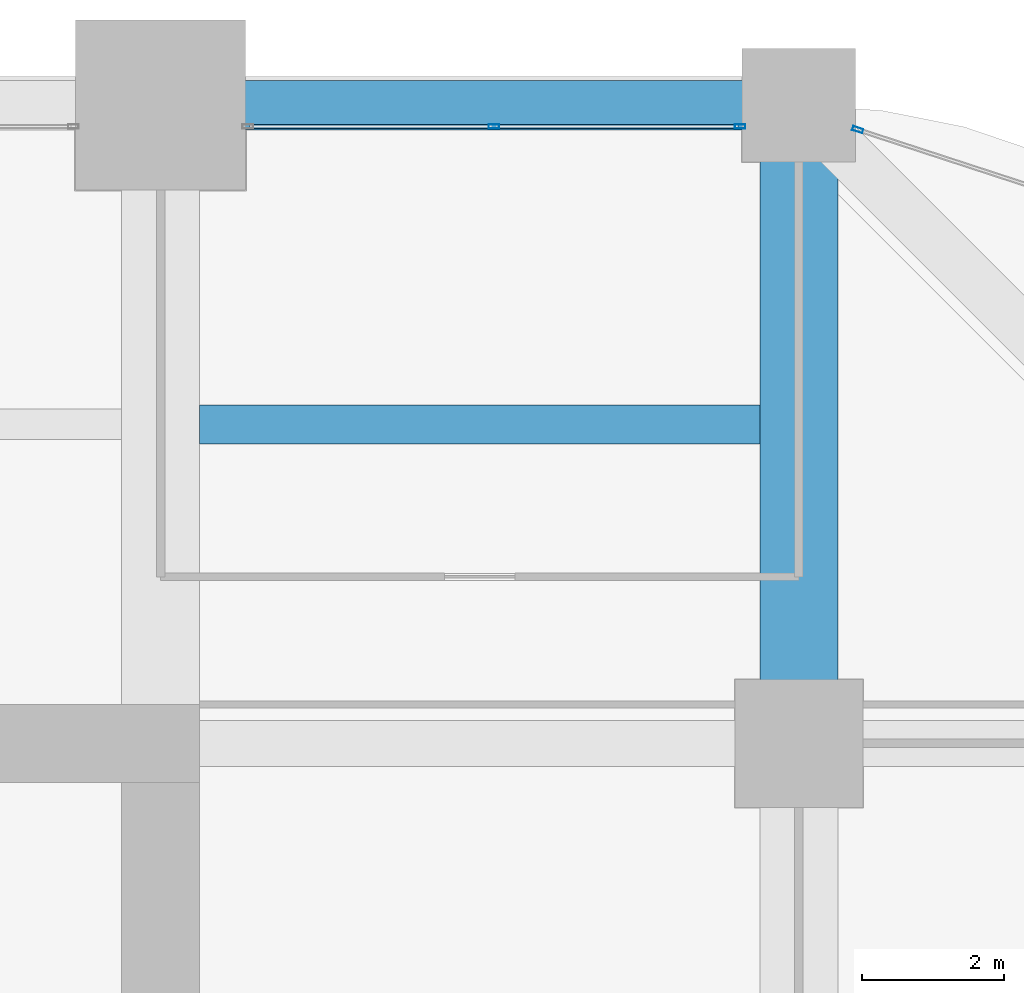
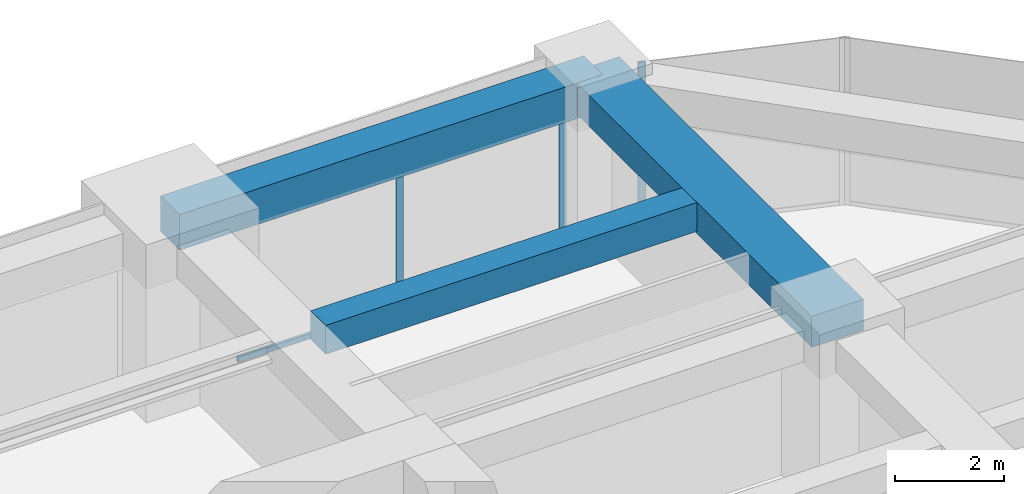
# One storey, part 33 of 40: 4 members, 3 beams, 2 elements without a shape of their own.
"""IFC4 building model written with IfcOpenShell, lengths in metres."""

from ifc_helpers import new_model, si_unit, direction, frame, origin, origin_2d, place, context, subcontext, project, spatial, rectangle, hollow_rectangle, extrude, material, material_profile, profile_set, type_object, element, aggregate, save


model = new_model("IFC4")

# Units and contexts
model_context = context("Model", 3, precision=1e-05, world=origin(), true_north=direction((0.0, 1.0)))
body_context = subcontext(model_context, "Body", "Model", "MODEL_VIEW")
ifc_project = project(units=[si_unit("LENGTHUNIT", "METRE"), si_unit("AREAUNIT", "SQUARE_METRE"), si_unit("VOLUMEUNIT", "CUBIC_METRE"), si_unit("PLANEANGLEUNIT", "RADIAN"), si_unit("MASSUNIT", "GRAM", prefix="KILO")], contexts=[model_context])

# Site, building, storey
site_placement = place(None, origin())
site = spatial("IfcSite", under=ifc_project, at=site_placement, CompositionType="ELEMENT")
building_placement = place(site_placement, origin())
building = spatial("IfcBuilding", under=site, at=building_placement, Name="Zorevar Civic Tower", CompositionType="ELEMENT")
storey_placement = place(building_placement, frame((0.0, 0.0, 133.0)))
storey = spatial("IfcBuildingStorey", under=building, at=storey_placement, Name="L32", CompositionType="ELEMENT", Elevation=133.0)

# Beams
ifc_material_1 = material(Name="Concrete C50/60", Category="concrete")
ifc_material_profile_1 = material_profile(ifc_material_1, rectangle(XDim=1.10009765625, YDim=0.699951171875, at=origin_2d()), Name="RC 1100x700")
ifc_profile_set_1 = profile_set([ifc_material_profile_1], Name="Concrete C50/60")
beam_type_1 = type_object("IfcBeamType", Name="Beam RC 1100x700", PredefinedType="BEAM", material=ifc_profile_set_1)
beam_1_placement = place(storey_placement, frame((54.0, 36.0, 3.39990234375), z_axis=(0.0, 1.0, 0.0), x_axis=(-1.0, 0.0, 0.0)))
element("IfcBeam", 1, at=beam_1_placement, inside=storey, type_object=beam_type_1, Name="Girder L33", PredefinedType="BEAM", context=body_context, shape_type="SweptSolid", body=[
    extrude(rectangle(XDim=1.10009765625, YDim=0.699951171875, at=origin_2d()), origin(), (0.0, 0.0, 1.0), 9.0),
])
ifc_material_2 = material(Name="Concrete C50/60", Category="concrete")
ifc_material_profile_2 = material_profile(ifc_material_2, rectangle(XDim=0.550048828125, YDim=0.64990234375, at=origin_2d()), Name="RC 550x650")
ifc_profile_set_2 = profile_set([ifc_material_profile_2], Name="Concrete C50/60")
beam_type_2 = type_object("IfcBeamType", Name="Beam RC 550x650", PredefinedType="BEAM", material=ifc_profile_set_2)
beam_2_placement = place(storey_placement, frame((45.550048828125, 40.5, 3.425048828125), z_axis=(1.0, 0.0, 0.0), x_axis=(0.0, 1.0, 0.0)))
element("IfcBeam", 2, at=beam_2_placement, inside=storey, type_object=beam_type_2, Name="Secondary beam L33", PredefinedType="BEAM", context=body_context, shape_type="SweptSolid", body=[
    extrude(rectangle(XDim=0.550048828125, YDim=0.64990234375, at=origin_2d()), origin(), (0.0, 0.0, 1.0), 7.89990234375),
])

# Curtain wall, members
ifc_material_3 = material(Name="Dark grey solar-control glass in black aluminium frame", Category="aluminium")
curtain_wall_type = type_object("IfcCurtainWallType", Name="Curtain wall CW3 mid zone", PredefinedType="NOTDEFINED", material=ifc_material_3)
curtain_wall_1_placement = place(storey_placement, origin())
curtain_wall_1 = element("IfcCurtainWall", 3, at=curtain_wall_1_placement, inside=storey, type_object=curtain_wall_type, Name="CW3 L32", PredefinedType="NOTDEFINED")
ifc_material_4 = material(Name="Aluminium, black anodised", Category="aluminium")
ifc_material_profile_3 = material_profile(ifc_material_4, hollow_rectangle(XDim=0.06005859375, YDim=0.14990234375, WallThickness=0.00390625, at=origin_2d()), Name="AL 150x60x4")
ifc_profile_set_3 = profile_set([ifc_material_profile_3], Name="Aluminium, black anodised")
member_type_1 = type_object("IfcMemberType", Name="CW3 mullion AL 150x60x4", PredefinedType="MULLION", material=ifc_profile_set_3)
member_1_placement = place(storey_placement, frame((49.699951171875, 44.699951171875, 0.06005859375), z_axis=(0.0, 0.0, 1.0), x_axis=(0.0, 1.0, 0.0)))
member_1 = element("IfcMember", 4, at=member_1_placement, type_object=member_type_1, Name="CW3 mullion 2", PredefinedType="MULLION", context=body_context, shape_type="SweptSolid", body=[
    extrude(hollow_rectangle(XDim=0.06005859375, YDim=0.14990234375, WallThickness=0.00390625, at=origin_2d()), origin(), (0.0, 0.0, 1.0), 2.889892578125),
])
member_2_placement = place(storey_placement, frame((53.169921875, 44.699951171875, 0.0), z_axis=(0.0, 0.0, 1.0), x_axis=(0.0, 1.0, 0.0)))
member_2 = element("IfcMember", 5, at=member_2_placement, type_object=member_type_1, Name="CW3 mullion 3", PredefinedType="MULLION", context=body_context, shape_type="SweptSolid", body=[
    extrude(hollow_rectangle(XDim=0.06005859375, YDim=0.14990234375, WallThickness=0.00390625, at=origin_2d()), origin(), (0.0, 0.0, 1.0), 2.949951171875),
])

# Curtain wall, member
curtain_wall_2_placement = place(storey_placement, origin())
curtain_wall_2 = element("IfcCurtainWall", 6, at=curtain_wall_2_placement, inside=storey, type_object=curtain_wall_type, Name="CW3 L32", PredefinedType="NOTDEFINED")
member_3_placement = place(storey_placement, frame((54.82861328125, 44.65380859375, 0.0), z_axis=(0.0, 0.0, 1.0), x_axis=(-0.310263169163, -0.950650706548, 0.0)))
member_3 = element("IfcMember", 7, at=member_3_placement, type_object=member_type_1, Name="CW3 mullion 2", PredefinedType="MULLION", context=body_context, shape_type="SweptSolid", body=[
    extrude(hollow_rectangle(XDim=0.06005859375, YDim=0.14990234375, WallThickness=0.00390625, at=origin_2d()), origin(), (0.0, 0.0, 1.0), 3.75),
])
aggregate(curtain_wall_2, [member_3])

# Member
ifc_material_5 = material(Name="Aluminium, black anodised", Category="aluminium")
ifc_material_profile_4 = material_profile(ifc_material_5, hollow_rectangle(XDim=0.06005859375, YDim=0.1201171875, WallThickness=0.0029296875, at=origin_2d()), Name="AL 120x60x3")
ifc_profile_set_4 = profile_set([ifc_material_profile_4], Name="Aluminium, black anodised")
member_type_2 = type_object("IfcMemberType", Name="CW3 transom AL 120x60x3", PredefinedType="USERDEFINED", material=ifc_profile_set_4)
member_4_placement = place(storey_placement, frame((46.260009765625, 44.699951171875, 0.030029296875), z_axis=(1.0, 0.0, 0.0), x_axis=(0.0, 1.0, 0.0)))
member_4 = element("IfcMember", 8, at=member_4_placement, type_object=member_type_2, Name="CW3 sill transom", ObjectType="TRANSOM", PredefinedType="USERDEFINED", context=body_context, shape_type="SweptSolid", body=[
    extrude(hollow_rectangle(XDim=0.06005859375, YDim=0.1201171875, WallThickness=0.0029296875, at=origin_2d()), origin(), (0.0, 0.0, 1.0), 6.8798828125),
])

aggregate(curtain_wall_1, [member_1, member_2, member_4])

# Beam
ifc_material_6 = material(Name="Concrete C50/60", Category="concrete")
ifc_material_profile_5 = material_profile(ifc_material_6, rectangle(XDim=0.699951171875, YDim=0.800048828125, at=origin_2d()), Name="RC 700x800")
ifc_profile_set_5 = profile_set([ifc_material_profile_5], Name="Concrete C50/60")
beam_type_3 = type_object("IfcBeamType", Name="Edge beam RC 700x800", PredefinedType="SPANDREL", material=ifc_profile_set_5)
beam_3_placement = place(storey_placement, frame((45.0, 45.0, 3.35009765625), z_axis=(1.0, 0.0, 0.0), x_axis=(0.0, 1.0, 0.0)))
element("IfcBeam", 9, at=beam_3_placement, inside=storey, type_object=beam_type_3, Name="Edge beam L33", PredefinedType="SPANDREL", context=body_context, shape_type="SweptSolid", body=[
    extrude(rectangle(XDim=0.699951171875, YDim=0.800048828125, at=origin_2d()), origin(), (0.0, 0.0, 1.0), 9.0),
])

save(model, "model.ifc")
